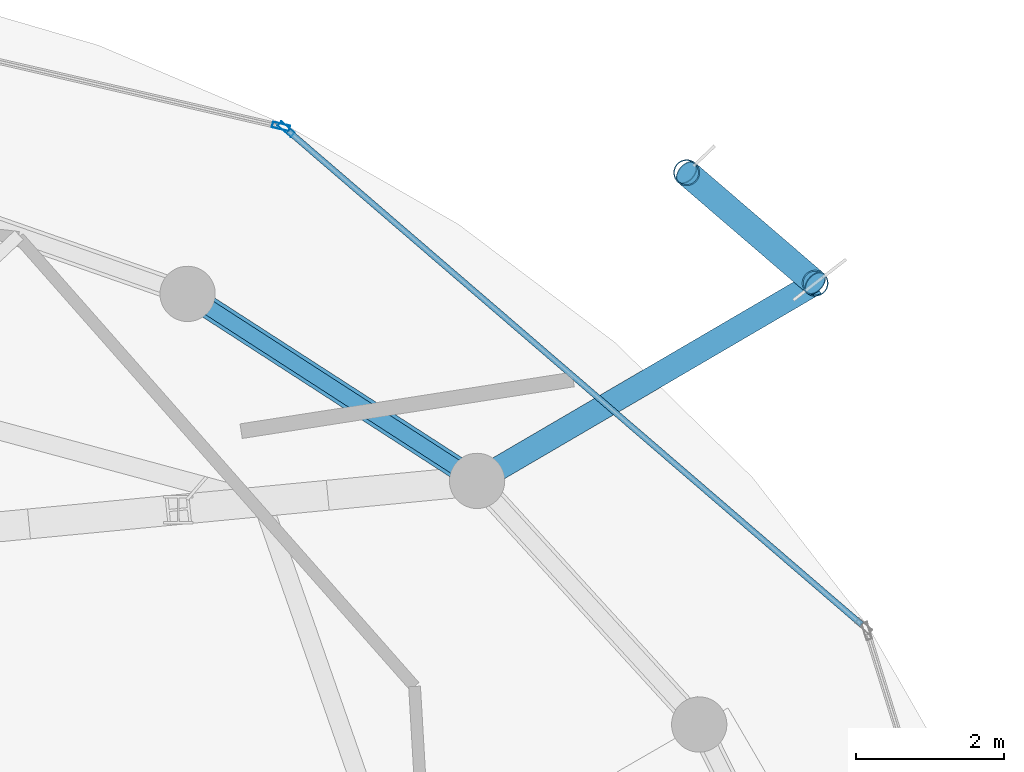
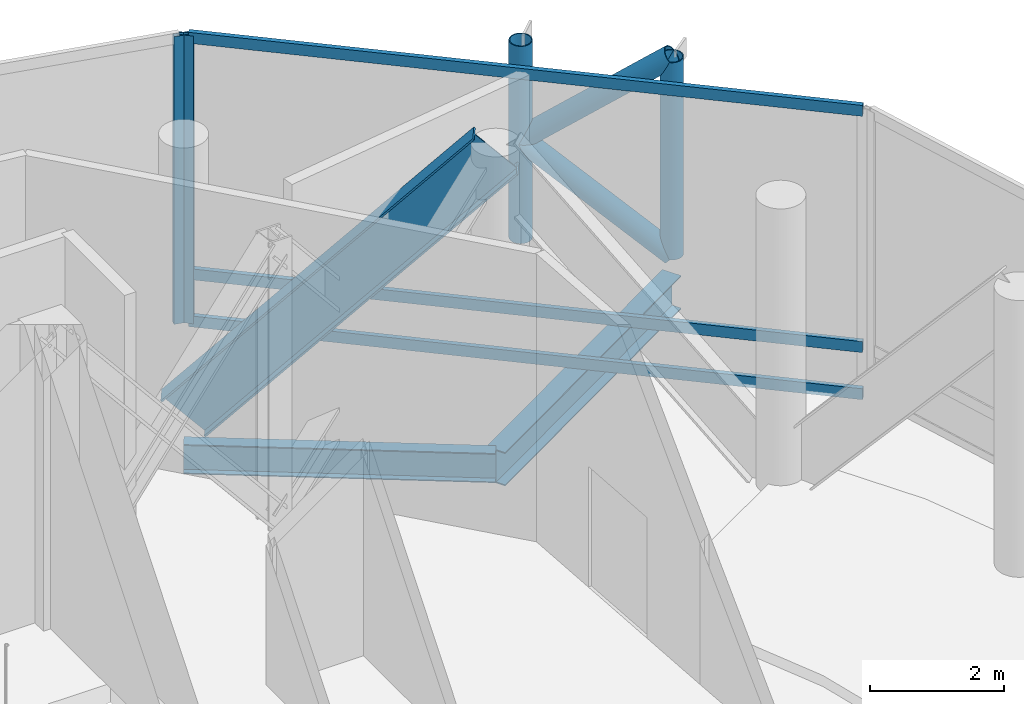
# One storey, part 16 of 26: 10 members, 2 beams, 2 elements without a shape of their own.
"""IFC4 building model written with IfcOpenShell, lengths in metres."""

from ifc_helpers import new_model, si_unit, direction, frame, origin, origin_2d, place, context, subcontext, project, spatial, hollow_rectangle, hollow_circle, i_section, extrude, material, layer, layer_set, material_profile, profile_set, type_object, element, aggregate, save


model = new_model("IFC4")

# Units and contexts
model_context = context("Model", 3, precision=1e-05, world=origin(), true_north=direction((0.0, 1.0)))
body_context = subcontext(model_context, "Body", "Model", "MODEL_VIEW")
ifc_project = project(units=[si_unit("LENGTHUNIT", "METRE"), si_unit("AREAUNIT", "SQUARE_METRE"), si_unit("VOLUMEUNIT", "CUBIC_METRE"), si_unit("PLANEANGLEUNIT", "RADIAN"), si_unit("MASSUNIT", "GRAM", prefix="KILO")], contexts=[model_context])

# Site, building, storey
site_placement = place(None, origin())
site = spatial("IfcSite", under=ifc_project, at=site_placement, CompositionType="ELEMENT")
building_placement = place(site_placement, origin())
building = spatial("IfcBuilding", under=site, at=building_placement, Name="Nuhasar Tower", CompositionType="ELEMENT")
storey_placement = place(building_placement, frame((0.0, 0.0, 301.199951171875)))
storey = spatial("IfcBuildingStorey", under=building, at=storey_placement, Name="L75", CompositionType="ELEMENT", Elevation=301.199951171875)

# Member
ifc_material_1 = material(Name="Steel S460", Category="steel")
ifc_material_profile_1 = material_profile(ifc_material_1, i_section(OverallWidth=0.306884765625, OverallDepth=0.927001953125, WebThickness=0.019287109375, FlangeThickness=0.031982421875, at=origin_2d()), Name="W36X194")
ifc_profile_set_1 = profile_set([ifc_material_profile_1], Name="Steel S460")
member_type_1 = type_object("IfcMemberType", Name="BLT-DIAG-W36B", PredefinedType="CHORD", material=ifc_profile_set_1)
member_1_placement = place(storey_placement, frame((48.47509765625, 40.613037109375, 0.150146484375), z_axis=(0.576596829619, -0.372442241774, 0.727202085129), x_axis=(0.54258381147, 0.840001671147, 0.0)))
element("IfcMember", 1, at=member_1_placement, inside=storey, type_object=member_type_1, Name="L75 Belt Truss Diagonal 04", PredefinedType="CHORD", context=body_context, shape_type="SweptSolid", body=[
    extrude(i_section(OverallWidth=0.306884765625, OverallDepth=0.927001953125, WebThickness=0.019287109375, FlangeThickness=0.031982421875, at=origin_2d()), origin(), (0.0, 0.0, 1.0), 6.806884765625),
])

# Beams
ifc_material_2 = material(Name="Steel S355", Category="steel")
ifc_material_profile_2 = material_profile(ifc_material_2, i_section(OverallWidth=0.2099609375, OverallDepth=0.537109375, WebThickness=0.010986328125, FlangeThickness=0.017333984375, at=origin_2d()), Name="W21X68")
ifc_profile_set_2 = profile_set([ifc_material_profile_2], Name="Steel S355")
beam_type_1 = type_object("IfcBeamType", Name="BM-RING-W21X68", PredefinedType="SPANDREL", material=ifc_profile_set_2)
beam_1_placement = place(storey_placement, frame((52.39990234375, 38.077880859375, -0.617919921875), z_axis=(-0.840001671147, 0.54258381147, 0.0), x_axis=(-0.54258381147, -0.840001671147, 0.0)))
element("IfcBeam", 2, at=beam_1_placement, inside=storey, type_object=beam_type_1, Name="L75 Perimeter Ring Spandrel 04", PredefinedType="SPANDREL", context=body_context, shape_type="SweptSolid", body=[
    extrude(i_section(OverallWidth=0.2099609375, OverallDepth=0.537109375, WebThickness=0.010986328125, FlangeThickness=0.017333984375, at=origin_2d()), origin(), (0.0, 0.0, 1.0), 4.67236328125),
])
ifc_material_profile_3 = material_profile(ifc_material_2, i_section(OverallWidth=0.323974609375, OverallDepth=0.611083984375, WebThickness=0.0126953125, FlangeThickness=0.01904296875, at=origin_2d()), Name="W24X104")
ifc_profile_set_3 = profile_set([ifc_material_profile_3], Name="Steel S355")
beam_type_2 = type_object("IfcBeamType", Name="BM-TIE-W24X104", PredefinedType="BEAM", material=ifc_profile_set_3)
beam_2_placement = place(storey_placement, frame((52.39990234375, 38.077880859375, -0.655029296875), z_axis=(0.863271521286, 0.504739814693, 0.0), x_axis=(-0.504739814693, 0.863271521286, 0.0)))
element("IfcBeam", 3, at=beam_2_placement, inside=storey, type_object=beam_type_2, Name="L75 Exoskeleton Node Tie Beam 02", PredefinedType="BEAM", context=body_context, shape_type="SweptSolid", body=[
    extrude(i_section(OverallWidth=0.323974609375, OverallDepth=0.611083984375, WebThickness=0.0126953125, FlangeThickness=0.01904296875, at=origin_2d()), origin(), (0.0, 0.0, 1.0), 5.31005859375),
])

# Curtain wall, member
ifc_material_3 = material(Name="Aluminium 6063-T6", Category="aluminium")
ifc_layer = layer(ifc_material_3, 0.219970703125)
ifc_layer_set = layer_set([ifc_layer], Name="Aluminium 6063-T6")
curtain_wall_type = type_object("IfcCurtainWallType", Name="CW-CROWN", PredefinedType="NOTDEFINED", material=ifc_layer_set)
curtain_wall_1_placement = place(storey_placement, origin())
curtain_wall_1 = element("IfcCurtainWall", 4, at=curtain_wall_1_placement, inside=storey, type_object=curtain_wall_type, Name="L75 Unitised Curtain Wall 02", PredefinedType="NOTDEFINED")
ifc_material_profile_4 = material_profile(ifc_material_3, hollow_rectangle(XDim=0.080078125, YDim=0.239990234375, WallThickness=0.0048828125, at=origin_2d()), Name="CWM-7")
ifc_profile_set_4 = profile_set([ifc_material_profile_4], Name="Aluminium 6063-T6")
member_type_2 = type_object("IfcMemberType", Name="CW-MUL-S7", PredefinedType="MULLION", material=ifc_profile_set_4)
member_2_placement = place(storey_placement, frame((49.810302734375, 42.846923828125, 0.0), z_axis=(0.0, 0.0, 1.0), x_axis=(-0.652363814796, -0.757905965898, 0.0)))
member_2 = element("IfcMember", 5, at=member_2_placement, type_object=member_type_2, Name="CW-CR mullion 2", PredefinedType="MULLION", context=body_context, shape_type="SweptSolid", body=[
    extrude(hollow_rectangle(XDim=0.080078125, YDim=0.239990234375, WallThickness=0.0048828125, at=origin_2d()), origin(), (0.0, 0.0, 1.0), 5.25),
])

curtain_wall_2_placement = place(storey_placement, origin())
curtain_wall_2 = element("IfcCurtainWall", 6, at=curtain_wall_2_placement, inside=storey, type_object=curtain_wall_type, Name="L75 Unitised Curtain Wall 03", PredefinedType="NOTDEFINED")
member_3_placement = place(storey_placement, frame((49.740966796875, 42.882080078125, 0.0), z_axis=(0.0, 0.0, 1.0), x_axis=(-0.224800092578, -0.974404904738, 0.0)))
member_3 = element("IfcMember", 7, at=member_3_placement, type_object=member_type_2, Name="CW-CR mullion 1", PredefinedType="MULLION", context=body_context, shape_type="SweptSolid", body=[
    extrude(hollow_rectangle(XDim=0.080078125, YDim=0.239990234375, WallThickness=0.0048828125, at=origin_2d()), origin(), (0.0, 0.0, 1.0), 5.25),
])
aggregate(curtain_wall_2, [member_3])

# Member
ifc_material_profile_5 = material_profile(ifc_material_3, hollow_rectangle(XDim=0.080078125, YDim=0.199951171875, WallThickness=0.00439453125, at=origin_2d()), Name="CWT-7")
ifc_profile_set_5 = profile_set([ifc_material_profile_5], Name="Aluminium 6063-T6")
member_type_3 = type_object("IfcMemberType", Name="CW-TRN-S7", PredefinedType="USERDEFINED", material=ifc_profile_set_5)
member_4_placement = place(storey_placement, frame((57.611328125, 36.132080078125, 0.0400390625), z_axis=(-0.75790189777, 0.652368541054, 0.0), x_axis=(-0.652368541054, -0.75790189777, 0.0)))
member_4 = element("IfcMember", 8, at=member_4_placement, type_object=member_type_3, Name="CW-CR transom 1.1", ObjectType="TRANSOM", PredefinedType="USERDEFINED", context=body_context, shape_type="SweptSolid", body=[
    extrude(hollow_rectangle(XDim=0.080078125, YDim=0.199951171875, WallThickness=0.00439453125, at=origin_2d()), origin(), (0.0, 0.0, 1.0), 10.2529296875),
])

member_5_placement = place(storey_placement, frame((57.611328125, 36.132080078125, 0.900146484375), z_axis=(-0.75790189777, 0.652368541054, 0.0), x_axis=(-0.652368541054, -0.75790189777, 0.0)))
member_5 = element("IfcMember", 9, at=member_5_placement, type_object=member_type_3, Name="CW-CR transom 1.2", ObjectType="TRANSOM", PredefinedType="USERDEFINED", context=body_context, shape_type="SweptSolid", body=[
    extrude(hollow_rectangle(XDim=0.080078125, YDim=0.199951171875, WallThickness=0.00439453125, at=origin_2d()), origin(), (0.0, 0.0, 1.0), 10.2529296875),
])

member_6_placement = place(storey_placement, frame((57.611328125, 36.132080078125, 5.2099609375), z_axis=(-0.75790189777, 0.652368541054, 0.0), x_axis=(-0.652368541054, -0.75790189777, 0.0)))
member_6 = element("IfcMember", 10, at=member_6_placement, type_object=member_type_3, Name="CW-CR transom 1.3", ObjectType="TRANSOM", PredefinedType="USERDEFINED", context=body_context, shape_type="SweptSolid", body=[
    extrude(hollow_rectangle(XDim=0.080078125, YDim=0.199951171875, WallThickness=0.00439453125, at=origin_2d()), origin(), (0.0, 0.0, 1.0), 10.2529296875),
])

aggregate(curtain_wall_1, [member_2, member_4, member_5, member_6])

# Members
ifc_material_profile_6 = material_profile(ifc_material_1, hollow_circle(Radius=0.177734375, WallThickness=0.015869140625, at=origin_2d()), Name="HSS355.6X15.9")
ifc_profile_set_6 = profile_set([ifc_material_profile_6], Name="Steel S460")
member_type_4 = type_object("IfcMemberType", Name="EXO-BRONZE-356", PredefinedType="BRACE", material=ifc_profile_set_6)
for number, where, z_axis, x_axis, name in (
    (11, (56.98388671875, 40.758056640625, 0.0), (0.0, 0.0, 1.0), (1.0, 0.0, 0.0), "L75 Exoskeleton Chord Column EC-02A"),
    (12, (55.239990234375, 42.257080078125, 0.0), (0.0, 0.0, 1.0), (1.0, 0.0, 0.0), "L75 Exoskeleton Chord Column EC-02B"),
):
    element("IfcMember", number, at=place(storey_placement, frame(where, z_axis=z_axis, x_axis=x_axis)), inside=storey, type_object=member_type_4, Name=name, PredefinedType="BRACE", context=body_context, shape_type="SweptSolid", body=[
        extrude(hollow_circle(Radius=0.177734375, WallThickness=0.015869140625, at=origin_2d()), origin(), (0.0, 0.0, 1.0), 3.60009765625),
    ])
for number, where, z_axis, x_axis, name in (
    (13, (56.98388671875, 40.758056640625, 0.0), (-0.597154021397, 0.513303330726, 0.616381996326), (-0.65185738425, -0.758341579104, 0.0), "L75 Bronze Diagrid Brace W1-02"),
    (14, (55.239990234375, 42.257080078125, 1.800048828125), (0.597154021397, -0.513303330726, 0.616381996326), (0.65185738425, 0.758341579104, 0.0), "L75 Bronze Diagrid Brace W2-02"),
):
    element("IfcMember", number, at=place(storey_placement, frame(where, z_axis=z_axis, x_axis=x_axis)), inside=storey, type_object=member_type_4, Name=name, PredefinedType="BRACE", context=body_context, shape_type="SweptSolid", body=[
        extrude(hollow_circle(Radius=0.177734375, WallThickness=0.015869140625, at=origin_2d()), origin(), (0.0, 0.0, 1.0), 2.92041015625),
    ])

save(model, "model.ifc")
